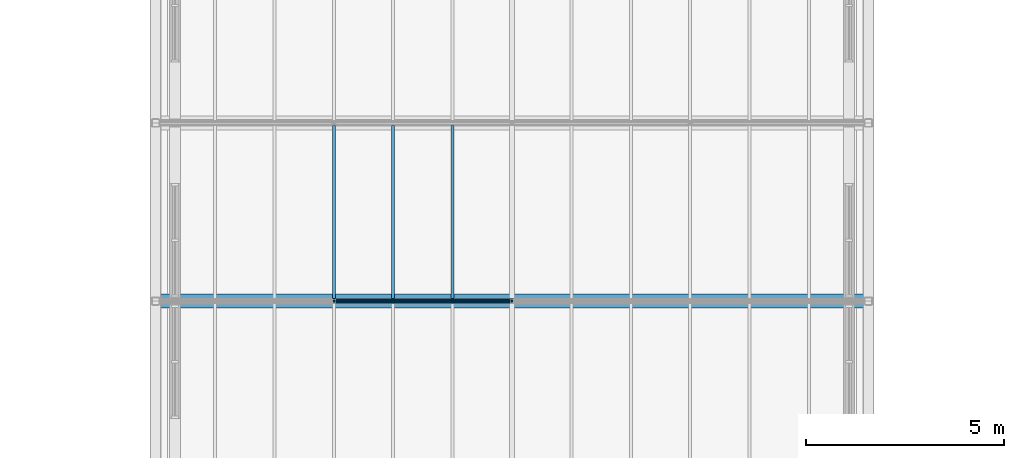
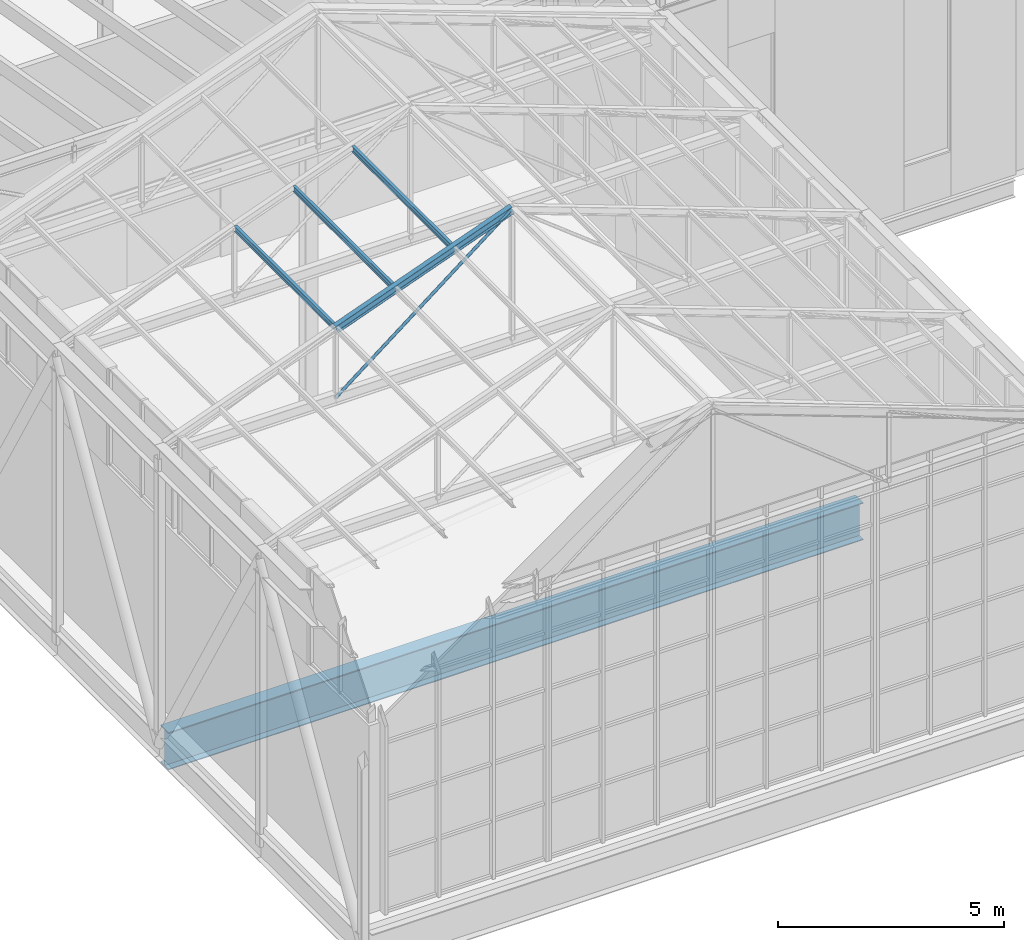
# One storey, part 17 of 90: 5 members, 1 beam.
"""IFC4 building model written with IfcOpenShell, lengths in metres."""

from ifc_helpers import new_model, si_unit, direction, frame, origin, origin_2d, place, context, subcontext, project, spatial, hollow_circle, i_section, extrude, material, material_profile, profile_set, type_object, element, save


model = new_model("IFC4")

# Units and contexts
model_context = context("Model", 3, precision=1e-05, world=origin(), true_north=direction((0.0, 1.0)))
body_context = subcontext(model_context, "Body", "Model", "MODEL_VIEW")
ifc_project = project(units=[si_unit("LENGTHUNIT", "METRE"), si_unit("AREAUNIT", "SQUARE_METRE"), si_unit("VOLUMEUNIT", "CUBIC_METRE"), si_unit("PLANEANGLEUNIT", "RADIAN"), si_unit("MASSUNIT", "GRAM", prefix="KILO")], contexts=[model_context])

# Site, building, storey
site_placement = place(None, origin())
site = spatial("IfcSite", under=ifc_project, at=site_placement, CompositionType="ELEMENT")
building_placement = place(site_placement, origin())
building = spatial("IfcBuilding", under=site, at=building_placement, Name="Halyard Row Museum", CompositionType="ELEMENT")
storey_placement = place(building_placement, frame((0.0, 0.0, 13.39990234375)))
storey = spatial("IfcBuildingStorey", under=building, at=storey_placement, Name="L03", CompositionType="ELEMENT", Elevation=13.39990234375)

# Beam
ifc_material_1 = material(Name="Steel Grade 300", Category="steel")
ifc_material_profile_1 = material_profile(ifc_material_1, i_section(OverallWidth=0.35009765625, OverallDepth=1.010009765625, WebThickness=0.01611328125, FlangeThickness=0.02490234375, at=origin_2d()), Name="1000WB258")
ifc_profile_set_1 = profile_set([ifc_material_profile_1], Name="Steel Grade 300")
beam_type = type_object("IfcBeamType", Name="Cross girder beam 1000WB258", PredefinedType="BEAM", material=ifc_profile_set_1)
beam_placement = place(storey_placement, frame((36.125, 9.0, -0.669921875), z_axis=(1.0, 0.0, 0.0), x_axis=(0.0, 1.0, 0.0)))
element("IfcBeam", 1, at=beam_placement, inside=storey, type_object=beam_type, Name="Beam L03-007", PredefinedType="BEAM", context=body_context, shape_type="SweptSolid", body=[
    extrude(i_section(OverallWidth=0.35009765625, OverallDepth=1.010009765625, WebThickness=0.01611328125, FlangeThickness=0.02490234375, at=origin_2d()), origin(), (0.0, 0.0, 1.0), 17.75),
])

# Members
ifc_material_2 = material(Name="Steel Grade 300", Category="steel")
ifc_material_profile_2 = material_profile(ifc_material_2, i_section(OverallWidth=0.074951171875, OverallDepth=0.155029296875, WebThickness=0.006103515625, FlangeThickness=0.009521484375, FilletRadius=0.008056640625, at=origin_2d()), Name="150UB18.0")
ifc_profile_set_2 = profile_set([ifc_material_profile_2], Name="Steel Grade 300")
member_type_1 = type_object("IfcMemberType", Name="Purlin 150UB18.0", PredefinedType="PURLIN", material=ifc_profile_set_2)
for number, where, z_axis, x_axis, name in (
    (2, (40.5, 9.06640625, 9.133544921875), (0.0, 1.0, 0.0), (-1.0, 0.0, 0.0), "V4 purlin PL3.3"),
    (3, (42.0, 9.06640625, 9.685302734375), (0.0, 1.0, 0.0), (-1.0, 0.0, 0.0), "V4 purlin PL4.3"),
    (4, (43.5, 9.06640625, 10.237060546875), (0.0, 1.0, 0.0), (-1.0, 0.0, 0.0), "V4 purlin PL5.3"),
):
    element("IfcMember", number, at=place(storey_placement, frame(where, z_axis=z_axis, x_axis=x_axis)), inside=storey, type_object=member_type_1, Name=name, PredefinedType="PURLIN", context=body_context, shape_type="SweptSolid", body=[
        extrude(i_section(OverallWidth=0.074951171875, OverallDepth=0.155029296875, WebThickness=0.006103515625, FlangeThickness=0.009521484375, FilletRadius=0.008056640625, at=origin_2d()), origin(), (0.0, 0.0, 1.0), 4.3671875),
    ])
ifc_material_3 = material(Name="Steel Grade C250L0", Category="steel")
ifc_material_profile_3 = material_profile(ifc_material_3, hollow_circle(Radius=0.0380859375, WallThickness=0.00439453125, at=origin_2d()), Name="76.1x4.5CHS")
ifc_profile_set_3 = profile_set([ifc_material_profile_3], Name="Steel Grade C250L0")
member_type_2 = type_object("IfcMemberType", Name="Roof truss diagonal 76.1x4.5CHS", PredefinedType="BRACE", material=ifc_profile_set_3)
member_1_placement = place(storey_placement, frame((40.5, 9.0, 7.2490234375), z_axis=(0.787340018202, 0.0, 0.616519014904), x_axis=(0.0, 1.0, 0.0)))
element("IfcMember", 5, at=member_1_placement, inside=storey, type_object=member_type_2, Name="V4RT3 diagonal 2", PredefinedType="BRACE", context=body_context, shape_type="SweptSolid", body=[
    extrude(hollow_circle(Radius=0.0380859375, WallThickness=0.00439453125, at=origin_2d()), origin(), (0.0, 0.0, 1.0), 5.71533203125),
])
ifc_material_4 = material(Name="Steel Grade 300", Category="steel")
ifc_material_profile_4 = material_profile(ifc_material_4, i_section(OverallWidth=0.133056640625, OverallDepth=0.20166015625, WebThickness=0.0048828125, FlangeThickness=0.007080078125, FilletRadius=0.0087890625, at=origin_2d()), Name="200UB22.3")
ifc_profile_set_4 = profile_set([ifc_material_profile_4], Name="Steel Grade 300")
member_type_3 = type_object("IfcMemberType", Name="Roof truss rafter 200UB22.3 rafter", PredefinedType="RAFTER", material=ifc_profile_set_4)
member_2_placement = place(storey_placement, frame((40.5, 9.0, 9.117431640625), z_axis=(0.938520336973, 0.0, 0.345223952077), x_axis=(0.0, 1.0, 0.0)))
element("IfcMember", 6, at=member_2_placement, inside=storey, type_object=member_type_3, Name="V4RT3 rafter 2", PredefinedType="RAFTER", context=body_context, shape_type="SweptSolid", body=[
    extrude(i_section(OverallWidth=0.133056640625, OverallDepth=0.20166015625, WebThickness=0.0048828125, FlangeThickness=0.007080078125, FilletRadius=0.0087890625, at=origin_2d()), origin(), (0.0, 0.0, 1.0), 4.794677734375),
])

save(model, "model.ifc")
